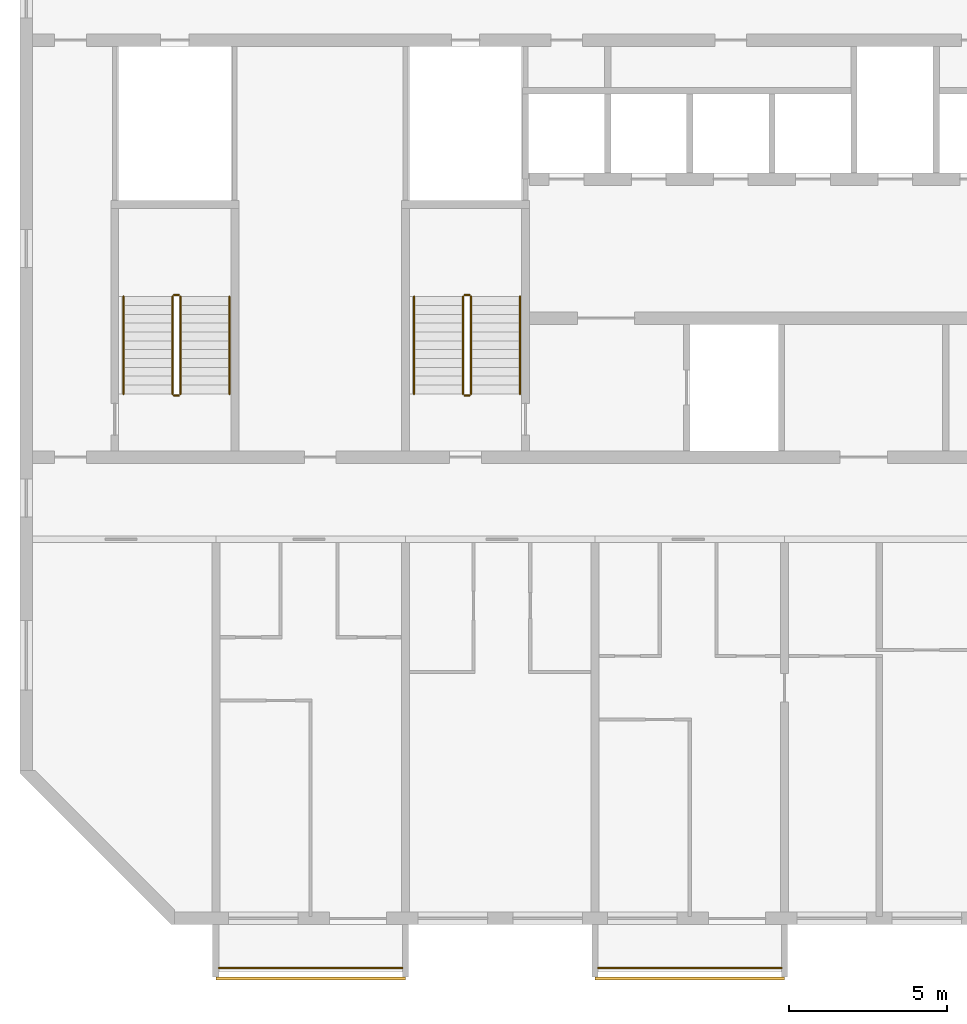
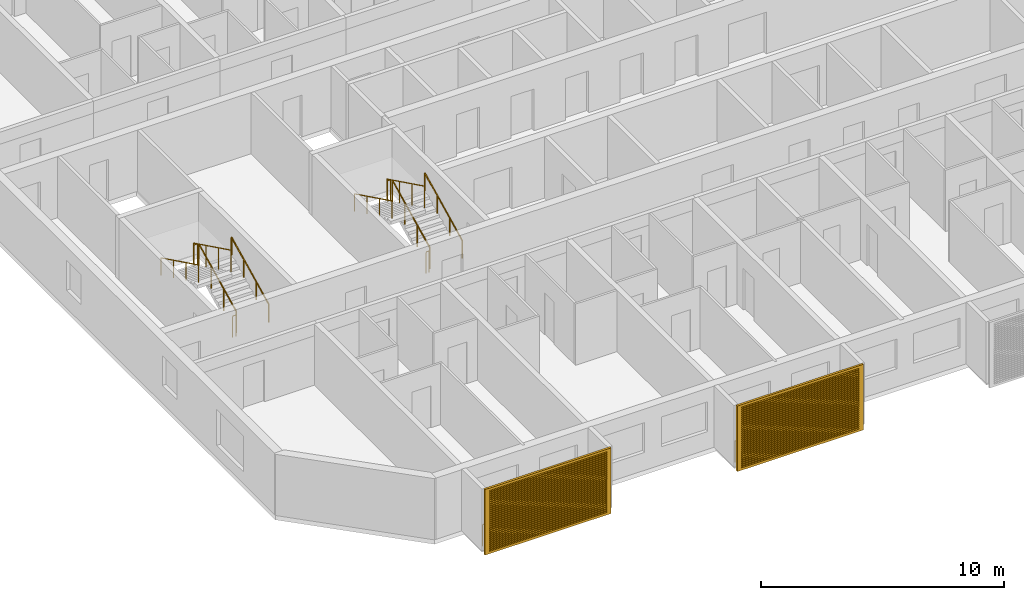
# One storey, part 13 of 27: 14 railings, 2 shading devices.
"""IFC4 building model written with IfcOpenShell, lengths in metres."""

from ifc_helpers import new_model, si_unit, direction, frame, origin, origin_2d, place, context, subcontext, project, spatial, polyline, circle, outline, extrude, source, transform, mapped, material, material_profile, profile_set, type_object, element, save


model = new_model("IFC4")

# Units and contexts
model_context = context("Model", 3, precision=1e-05, world=origin(), true_north=direction((0.0, 1.0)))
body_context = subcontext(model_context, "Body", "Model", "MODEL_VIEW")
ifc_project = project(units=[si_unit("LENGTHUNIT", "METRE"), si_unit("AREAUNIT", "SQUARE_METRE"), si_unit("VOLUMEUNIT", "CUBIC_METRE"), si_unit("PLANEANGLEUNIT", "RADIAN"), si_unit("MASSUNIT", "GRAM", prefix="KILO")], contexts=[model_context])

# Site, building, storey
site_placement = place(None, origin())
site = spatial("IfcSite", under=ifc_project, at=site_placement, CompositionType="ELEMENT")
building_placement = place(site_placement, origin())
building = spatial("IfcBuilding", under=site, at=building_placement, Name="Poui Terraces", CompositionType="ELEMENT")
storey_placement = place(building_placement, frame((0.0, 0.0, 198.300048828125)))
storey = spatial("IfcBuildingStorey", under=building, at=storey_placement, Name="L55", CompositionType="ELEMENT", Elevation=198.300048828125)

# Railings
ifc_material_1 = material(Name="Painted steel fretwork", Category="steel")
railing_type_1 = type_object("IfcRailingType", Name="BALCONY GUARD 1100", PredefinedType="GUARDRAIL", material=ifc_material_1)
for number, where, name in (
    (1, (24.10009765625, -1.570068359375, 0.0), "BALCONY GUARD"),
    (2, (36.10009765625, -1.570068359375, 0.0), "BALCONY GUARD"),
):
    element("IfcRailing", number, at=place(storey_placement, frame(where)), inside=storey, type_object=railing_type_1, Name=name, PredefinedType="GUARDRAIL", context=body_context, shape_type="SweptSolid", body=[
        extrude(circle(Radius=0.02392578125, at=origin_2d()), frame((0.0, 0.0, 1.076171875), z_axis=(1.0, 0.0, 0.0), x_axis=(0.0, 1.0, 0.0)), (0.0, 0.0, 1.0), 5.7998046875),
        extrude(circle(Radius=0.02099609375, at=origin_2d()), origin(), (0.0, 0.0, 1.0), 1.052001953125),
        extrude(circle(Radius=0.02099609375, at=origin_2d()), frame((0.966552734375, 0.0, 0.0)), (0.0, 0.0, 1.0), 1.052001953125),
        extrude(circle(Radius=0.02099609375, at=origin_2d()), frame((1.933349609375, 0.0, 0.0)), (0.0, 0.0, 1.0), 1.052001953125),
        extrude(circle(Radius=0.02099609375, at=origin_2d()), frame((2.89990234375, 0.0, 0.0)), (0.0, 0.0, 1.0), 1.052001953125),
        extrude(circle(Radius=0.02099609375, at=origin_2d()), frame((3.866455078125, 0.0, 0.0)), (0.0, 0.0, 1.0), 1.052001953125),
        extrude(circle(Radius=0.02099609375, at=origin_2d()), frame((4.833251953125, 0.0, 0.0)), (0.0, 0.0, 1.0), 1.052001953125),
        extrude(circle(Radius=0.02099609375, at=origin_2d()), frame((5.7998046875, 0.0, 0.0)), (0.0, 0.0, 1.0), 1.052001953125),
    ])
ifc_material_2 = material(Name="Galvanised steel balustrade", Category="steel")
railing_type_2 = type_object("IfcRailingType", Name="STAIR GUARD 1100", PredefinedType="GUARDRAIL", material=ifc_material_2)
railing_1_placement = place(storey_placement, frame((32.074951171875, 16.60009765625, 0.137451171875)))
element("IfcRailing", 3, at=railing_1_placement, inside=storey, type_object=railing_type_2, Name="L55 ST-CW stair guard 1", PredefinedType="GUARDRAIL", context=body_context, shape_type="SweptSolid", body=[
    extrude(circle(Radius=0.02392578125, at=origin_2d()), frame((0.0, 0.0, 1.076171875), z_axis=(0.0, 0.897606190399, 0.440798283751), x_axis=(-1.0, 0.0, 0.0)), (0.0, 0.0, 1.0), 3.43115234375),
    extrude(circle(Radius=0.02099609375, at=origin_2d()), origin(), (0.0, 0.0, 1.0), 1.052001953125),
    extrude(circle(Radius=0.02099609375, at=origin_2d()), frame((0.0, 1.026611328125, 0.504150390625)), (0.0, 0.0, 1.0), 1.052001953125),
    extrude(circle(Radius=0.02099609375, at=origin_2d()), frame((0.0, 2.05322265625, 1.00830078125)), (0.0, 0.0, 1.0), 1.052001953125),
    extrude(circle(Radius=0.02099609375, at=origin_2d()), frame((0.0, 3.079833984375, 1.512451171875)), (0.0, 0.0, 1.0), 1.052001953125),
])
railing_2_placement = place(storey_placement, frame((32.02490234375, 19.72998046875, 1.64990234375)))
element("IfcRailing", 4, at=railing_2_placement, inside=storey, type_object=railing_type_2, Name="L55 ST-CW stair guard 2", PredefinedType="GUARDRAIL", context=body_context, shape_type="SweptSolid", body=[
    extrude(circle(Radius=0.02392578125, at=origin_2d()), frame((0.0, 0.0, 1.076171875), z_axis=(-1.0, 0.0, 0.0), x_axis=(0.0, -1.0, 0.0)), (0.0, 0.0, 1.0), 0.14990234375),
    extrude(circle(Radius=0.02099609375, at=origin_2d()), origin(), (0.0, 0.0, 1.0), 1.052001953125),
    extrude(circle(Radius=0.02099609375, at=origin_2d()), frame((-0.14990234375, 0.0, 0.0)), (0.0, 0.0, 1.0), 1.052001953125),
])
railing_3_placement = place(storey_placement, frame((31.824951171875, 19.679931640625, 1.787353515625)))
element("IfcRailing", 5, at=railing_3_placement, inside=storey, type_object=railing_type_2, Name="L55 ST-CW stair guard 3", PredefinedType="GUARDRAIL", context=body_context, shape_type="SweptSolid", body=[
    extrude(circle(Radius=0.02392578125, at=origin_2d()), frame((0.0, 0.0, 1.076171875), z_axis=(0.0, -0.897578036475, 0.440855609512), x_axis=(1.0, 0.0, 0.0)), (0.0, 0.0, 1.0), 3.43115234375),
    extrude(circle(Radius=0.02099609375, at=origin_2d()), origin(), (0.0, 0.0, 1.0), 1.052001953125),
    extrude(circle(Radius=0.02099609375, at=origin_2d()), frame((0.0, -1.026611328125, 0.504150390625)), (0.0, 0.0, 1.0), 1.052001953125),
    extrude(circle(Radius=0.02099609375, at=origin_2d()), frame((0.0, -2.05322265625, 1.008544921875)), (0.0, 0.0, 1.0), 1.052001953125),
    extrude(circle(Radius=0.02099609375, at=origin_2d()), frame((0.0, -3.079833984375, 1.5126953125)), (0.0, 0.0, 1.0), 1.052001953125),
])
railing_4_placement = place(storey_placement, frame((32.02490234375, 16.550048828125, 0.0)))
element("IfcRailing", 6, at=railing_4_placement, inside=storey, type_object=railing_type_2, Name="L55 ST-CW stair guard 4", PredefinedType="GUARDRAIL", context=body_context, shape_type="SweptSolid", body=[
    extrude(circle(Radius=0.02392578125, at=origin_2d()), frame((0.0, 0.0, 1.076171875), z_axis=(-1.0, 0.0, 0.0), x_axis=(0.0, -1.0, 0.0)), (0.0, 0.0, 1.0), 0.14990234375),
    extrude(circle(Radius=0.02099609375, at=origin_2d()), origin(), (0.0, 0.0, 1.0), 1.052001953125),
    extrude(circle(Radius=0.02099609375, at=origin_2d()), frame((-0.14990234375, 0.0, 0.0)), (0.0, 0.0, 1.0), 1.052001953125),
])
railing_5_placement = place(storey_placement, frame((22.875, 16.60009765625, 0.137451171875)))
element("IfcRailing", 7, at=railing_5_placement, inside=storey, type_object=railing_type_2, Name="L55 ST-W stair guard 1", PredefinedType="GUARDRAIL", context=body_context, shape_type="SweptSolid", body=[
    extrude(circle(Radius=0.02392578125, at=origin_2d()), frame((0.0, 0.0, 1.076171875), z_axis=(0.0, 0.897606190399, 0.440798283751), x_axis=(-1.0, 0.0, 0.0)), (0.0, 0.0, 1.0), 3.43115234375),
    extrude(circle(Radius=0.02099609375, at=origin_2d()), origin(), (0.0, 0.0, 1.0), 1.052001953125),
    extrude(circle(Radius=0.02099609375, at=origin_2d()), frame((0.0, 1.026611328125, 0.504150390625)), (0.0, 0.0, 1.0), 1.052001953125),
    extrude(circle(Radius=0.02099609375, at=origin_2d()), frame((0.0, 2.05322265625, 1.00830078125)), (0.0, 0.0, 1.0), 1.052001953125),
    extrude(circle(Radius=0.02099609375, at=origin_2d()), frame((0.0, 3.079833984375, 1.512451171875)), (0.0, 0.0, 1.0), 1.052001953125),
])
railing_6_placement = place(storey_placement, frame((22.824951171875, 19.72998046875, 1.64990234375)))
element("IfcRailing", 8, at=railing_6_placement, inside=storey, type_object=railing_type_2, Name="L55 ST-W stair guard 2", PredefinedType="GUARDRAIL", context=body_context, shape_type="SweptSolid", body=[
    extrude(circle(Radius=0.02392578125, at=origin_2d()), frame((0.0, 0.0, 1.076171875), z_axis=(-1.0, 0.0, 0.0), x_axis=(0.0, -1.0, 0.0)), (0.0, 0.0, 1.0), 0.14990234375),
    extrude(circle(Radius=0.02099609375, at=origin_2d()), origin(), (0.0, 0.0, 1.0), 1.052001953125),
    extrude(circle(Radius=0.02099609375, at=origin_2d()), frame((-0.14990234375, 0.0, 0.0)), (0.0, 0.0, 1.0), 1.052001953125),
])
railing_7_placement = place(storey_placement, frame((22.625, 19.679931640625, 1.787353515625)))
element("IfcRailing", 9, at=railing_7_placement, inside=storey, type_object=railing_type_2, Name="L55 ST-W stair guard 3", PredefinedType="GUARDRAIL", context=body_context, shape_type="SweptSolid", body=[
    extrude(circle(Radius=0.02392578125, at=origin_2d()), frame((0.0, 0.0, 1.076171875), z_axis=(0.0, -0.897578036475, 0.440855609512), x_axis=(1.0, 0.0, 0.0)), (0.0, 0.0, 1.0), 3.43115234375),
    extrude(circle(Radius=0.02099609375, at=origin_2d()), origin(), (0.0, 0.0, 1.0), 1.052001953125),
    extrude(circle(Radius=0.02099609375, at=origin_2d()), frame((0.0, -1.026611328125, 0.504150390625)), (0.0, 0.0, 1.0), 1.052001953125),
    extrude(circle(Radius=0.02099609375, at=origin_2d()), frame((0.0, -2.05322265625, 1.008544921875)), (0.0, 0.0, 1.0), 1.052001953125),
    extrude(circle(Radius=0.02099609375, at=origin_2d()), frame((0.0, -3.079833984375, 1.5126953125)), (0.0, 0.0, 1.0), 1.052001953125),
])
railing_8_placement = place(storey_placement, frame((22.824951171875, 16.550048828125, 0.0)))
element("IfcRailing", 10, at=railing_8_placement, inside=storey, type_object=railing_type_2, Name="L55 ST-W stair guard 4", PredefinedType="GUARDRAIL", context=body_context, shape_type="SweptSolid", body=[
    extrude(circle(Radius=0.02392578125, at=origin_2d()), frame((0.0, 0.0, 1.076171875), z_axis=(-1.0, 0.0, 0.0), x_axis=(0.0, -1.0, 0.0)), (0.0, 0.0, 1.0), 0.14990234375),
    extrude(circle(Radius=0.02099609375, at=origin_2d()), origin(), (0.0, 0.0, 1.0), 1.052001953125),
    extrude(circle(Radius=0.02099609375, at=origin_2d()), frame((-0.14990234375, 0.0, 0.0)), (0.0, 0.0, 1.0), 1.052001953125),
])
ifc_material_3 = material(Name="Stainless steel handrail", Category="steel")
railing_type_3 = type_object("IfcRailingType", Name="STAIR HANDRAIL 900", PredefinedType="HANDRAIL", material=ifc_material_3)
railing_9_placement = place(storey_placement, frame((33.625, 16.60009765625, 0.137451171875)))
element("IfcRailing", 11, at=railing_9_placement, inside=storey, type_object=railing_type_3, Name="L55 ST-CW stair handrail 1", PredefinedType="HANDRAIL", context=body_context, shape_type="SweptSolid", body=[
    extrude(circle(Radius=0.02392578125, at=origin_2d()), frame((0.0, 0.0, 0.8759765625), z_axis=(0.0, 0.897606190399, 0.440798283751), x_axis=(-1.0, 0.0, 0.0)), (0.0, 0.0, 1.0), 3.43115234375),
    extrude(circle(Radius=0.02099609375, at=origin_2d()), origin(), (0.0, 0.0, 1.0), 0.851806640625),
    extrude(circle(Radius=0.02099609375, at=origin_2d()), frame((0.0, 1.026611328125, 0.504150390625)), (0.0, 0.0, 1.0), 0.851806640625),
    extrude(circle(Radius=0.02099609375, at=origin_2d()), frame((0.0, 2.05322265625, 1.00830078125)), (0.0, 0.0, 1.0), 0.851806640625),
    extrude(circle(Radius=0.02099609375, at=origin_2d()), frame((0.0, 3.079833984375, 1.512451171875)), (0.0, 0.0, 1.0), 0.851806640625),
])
railing_10_placement = place(storey_placement, frame((30.27490234375, 19.679931640625, 1.787353515625)))
element("IfcRailing", 12, at=railing_10_placement, inside=storey, type_object=railing_type_3, Name="L55 ST-CW stair handrail 2", PredefinedType="HANDRAIL", context=body_context, shape_type="SweptSolid", body=[
    extrude(circle(Radius=0.02392578125, at=origin_2d()), frame((0.0, 0.0, 0.8759765625), z_axis=(0.0, -0.897578036475, 0.440855609512), x_axis=(1.0, 0.0, 0.0)), (0.0, 0.0, 1.0), 3.43115234375),
    extrude(circle(Radius=0.02099609375, at=origin_2d()), origin(), (0.0, 0.0, 1.0), 0.851806640625),
    extrude(circle(Radius=0.02099609375, at=origin_2d()), frame((0.0, -1.026611328125, 0.504150390625)), (0.0, 0.0, 1.0), 0.851806640625),
    extrude(circle(Radius=0.02099609375, at=origin_2d()), frame((0.0, -2.05322265625, 1.008544921875)), (0.0, 0.0, 1.0), 0.851806640625),
    extrude(circle(Radius=0.02099609375, at=origin_2d()), frame((0.0, -3.079833984375, 1.5126953125)), (0.0, 0.0, 1.0), 0.851806640625),
])
railing_11_placement = place(storey_placement, frame((24.425048828125, 16.60009765625, 0.137451171875)))
element("IfcRailing", 13, at=railing_11_placement, inside=storey, type_object=railing_type_3, Name="L55 ST-W stair handrail 1", PredefinedType="HANDRAIL", context=body_context, shape_type="SweptSolid", body=[
    extrude(circle(Radius=0.02392578125, at=origin_2d()), frame((0.0, 0.0, 0.8759765625), z_axis=(0.0, 0.897606190399, 0.440798283751), x_axis=(-1.0, 0.0, 0.0)), (0.0, 0.0, 1.0), 3.43115234375),
    extrude(circle(Radius=0.02099609375, at=origin_2d()), origin(), (0.0, 0.0, 1.0), 0.851806640625),
    extrude(circle(Radius=0.02099609375, at=origin_2d()), frame((0.0, 1.026611328125, 0.504150390625)), (0.0, 0.0, 1.0), 0.851806640625),
    extrude(circle(Radius=0.02099609375, at=origin_2d()), frame((0.0, 2.05322265625, 1.00830078125)), (0.0, 0.0, 1.0), 0.851806640625),
    extrude(circle(Radius=0.02099609375, at=origin_2d()), frame((0.0, 3.079833984375, 1.512451171875)), (0.0, 0.0, 1.0), 0.851806640625),
])
railing_12_placement = place(storey_placement, frame((21.074951171875, 19.679931640625, 1.787353515625)))
element("IfcRailing", 14, at=railing_12_placement, inside=storey, type_object=railing_type_3, Name="L55 ST-W stair handrail 2", PredefinedType="HANDRAIL", context=body_context, shape_type="SweptSolid", body=[
    extrude(circle(Radius=0.02392578125, at=origin_2d()), frame((0.0, 0.0, 0.8759765625), z_axis=(0.0, -0.897578036475, 0.440855609512), x_axis=(1.0, 0.0, 0.0)), (0.0, 0.0, 1.0), 3.43115234375),
    extrude(circle(Radius=0.02099609375, at=origin_2d()), origin(), (0.0, 0.0, 1.0), 0.851806640625),
    extrude(circle(Radius=0.02099609375, at=origin_2d()), frame((0.0, -1.026611328125, 0.504150390625)), (0.0, 0.0, 1.0), 0.851806640625),
    extrude(circle(Radius=0.02099609375, at=origin_2d()), frame((0.0, -2.05322265625, 1.008544921875)), (0.0, 0.0, 1.0), 0.851806640625),
    extrude(circle(Radius=0.02099609375, at=origin_2d()), frame((0.0, -3.079833984375, 1.5126953125)), (0.0, 0.0, 1.0), 0.851806640625),
])

# Shading devices
ifc_material_4 = material(Name="Aluminium louvre", Category="aluminium")
ifc_material_profile = material_profile(ifc_material_4, outline(polyline([(-3.0, -1.64990234375), (3.0, -1.64990234375), (3.0, 1.64990234375), (-3.0, 1.64990234375), (-3.0, -1.64990234375)]), holes=[polyline([(-2.800048828125, -1.530029296875), (2.800048828125, -1.530029296875), (2.800048828125, -1.469970703125), (-2.800048828125, -1.469970703125), (-2.800048828125, -1.530029296875)]), polyline([(-2.800048828125, -1.429931640625), (2.800048828125, -1.429931640625), (2.800048828125, -1.3701171875), (-2.800048828125, -1.3701171875), (-2.800048828125, -1.429931640625)]), polyline([(-2.800048828125, -1.330078125), (2.800048828125, -1.330078125), (2.800048828125, -1.27001953125), (-2.800048828125, -1.27001953125), (-2.800048828125, -1.330078125)]), polyline([(-2.800048828125, -1.22998046875), (2.800048828125, -1.22998046875), (2.800048828125, -1.169921875), (-2.800048828125, -1.169921875), (-2.800048828125, -1.22998046875)]), polyline([(-2.800048828125, -1.1298828125), (2.800048828125, -1.1298828125), (2.800048828125, -1.070068359375), (-2.800048828125, -1.070068359375), (-2.800048828125, -1.1298828125)]), polyline([(-2.800048828125, -1.030029296875), (2.800048828125, -1.030029296875), (2.800048828125, -0.969970703125), (-2.800048828125, -0.969970703125), (-2.800048828125, -1.030029296875)]), polyline([(-2.800048828125, -0.929931640625), (2.800048828125, -0.929931640625), (2.800048828125, -0.8701171875), (-2.800048828125, -0.8701171875), (-2.800048828125, -0.929931640625)]), polyline([(-2.800048828125, -0.830078125), (2.800048828125, -0.830078125), (2.800048828125, -0.77001953125), (-2.800048828125, -0.77001953125), (-2.800048828125, -0.830078125)]), polyline([(-2.800048828125, -0.72998046875), (2.800048828125, -0.72998046875), (2.800048828125, -0.669921875), (-2.800048828125, -0.669921875), (-2.800048828125, -0.72998046875)]), polyline([(-2.800048828125, -0.6298828125), (2.800048828125, -0.6298828125), (2.800048828125, -0.570068359375), (-2.800048828125, -0.570068359375), (-2.800048828125, -0.6298828125)]), polyline([(-2.800048828125, -0.530029296875), (2.800048828125, -0.530029296875), (2.800048828125, -0.469970703125), (-2.800048828125, -0.469970703125), (-2.800048828125, -0.530029296875)]), polyline([(-2.800048828125, -0.429931640625), (2.800048828125, -0.429931640625), (2.800048828125, -0.3701171875), (-2.800048828125, -0.3701171875), (-2.800048828125, -0.429931640625)]), polyline([(-2.800048828125, -0.330078125), (2.800048828125, -0.330078125), (2.800048828125, -0.27001953125), (-2.800048828125, -0.27001953125), (-2.800048828125, -0.330078125)]), polyline([(-2.800048828125, -0.22998046875), (2.800048828125, -0.22998046875), (2.800048828125, -0.169921875), (-2.800048828125, -0.169921875), (-2.800048828125, -0.22998046875)]), polyline([(-2.800048828125, -0.1298828125), (2.800048828125, -0.1298828125), (2.800048828125, -0.070068359375), (-2.800048828125, -0.070068359375), (-2.800048828125, -0.1298828125)]), polyline([(-2.800048828125, -0.030029296875), (2.800048828125, -0.030029296875), (2.800048828125, 0.030029296875), (-2.800048828125, 0.030029296875), (-2.800048828125, -0.030029296875)]), polyline([(-2.800048828125, 0.070068359375), (2.800048828125, 0.070068359375), (2.800048828125, 0.1298828125), (-2.800048828125, 0.1298828125), (-2.800048828125, 0.070068359375)]), polyline([(-2.800048828125, 0.169921875), (2.800048828125, 0.169921875), (2.800048828125, 0.22998046875), (-2.800048828125, 0.22998046875), (-2.800048828125, 0.169921875)]), polyline([(-2.800048828125, 0.27001953125), (2.800048828125, 0.27001953125), (2.800048828125, 0.330078125), (-2.800048828125, 0.330078125), (-2.800048828125, 0.27001953125)]), polyline([(-2.800048828125, 0.3701171875), (2.800048828125, 0.3701171875), (2.800048828125, 0.429931640625), (-2.800048828125, 0.429931640625), (-2.800048828125, 0.3701171875)]), polyline([(-2.800048828125, 0.469970703125), (2.800048828125, 0.469970703125), (2.800048828125, 0.530029296875), (-2.800048828125, 0.530029296875), (-2.800048828125, 0.469970703125)]), polyline([(-2.800048828125, 0.570068359375), (2.800048828125, 0.570068359375), (2.800048828125, 0.6298828125), (-2.800048828125, 0.6298828125), (-2.800048828125, 0.570068359375)]), polyline([(-2.800048828125, 0.669921875), (2.800048828125, 0.669921875), (2.800048828125, 0.72998046875), (-2.800048828125, 0.72998046875), (-2.800048828125, 0.669921875)]), polyline([(-2.800048828125, 0.77001953125), (2.800048828125, 0.77001953125), (2.800048828125, 0.830078125), (-2.800048828125, 0.830078125), (-2.800048828125, 0.77001953125)]), polyline([(-2.800048828125, 0.8701171875), (2.800048828125, 0.8701171875), (2.800048828125, 0.929931640625), (-2.800048828125, 0.929931640625), (-2.800048828125, 0.8701171875)]), polyline([(-2.800048828125, 0.969970703125), (2.800048828125, 0.969970703125), (2.800048828125, 1.030029296875), (-2.800048828125, 1.030029296875), (-2.800048828125, 0.969970703125)]), polyline([(-2.800048828125, 1.070068359375), (2.800048828125, 1.070068359375), (2.800048828125, 1.1298828125), (-2.800048828125, 1.1298828125), (-2.800048828125, 1.070068359375)]), polyline([(-2.800048828125, 1.169921875), (2.800048828125, 1.169921875), (2.800048828125, 1.22998046875), (-2.800048828125, 1.22998046875), (-2.800048828125, 1.169921875)]), polyline([(-2.800048828125, 1.27001953125), (2.800048828125, 1.27001953125), (2.800048828125, 1.330078125), (-2.800048828125, 1.330078125), (-2.800048828125, 1.27001953125)]), polyline([(-2.800048828125, 1.3701171875), (2.800048828125, 1.3701171875), (2.800048828125, 1.429931640625), (-2.800048828125, 1.429931640625), (-2.800048828125, 1.3701171875)]), polyline([(-2.800048828125, 1.469970703125), (2.800048828125, 1.469970703125), (2.800048828125, 1.530029296875), (-2.800048828125, 1.530029296875), (-2.800048828125, 1.469970703125)])]), Name="JALOUSIE LOUVRE SHUTTER 6000X3300")
ifc_profile_set = profile_set([ifc_material_profile], Name="Aluminium louvre")
shading_device_type = type_object("IfcShadingDeviceType", Name="JALOUSIE LOUVRE SHUTTER 6000X3300", PredefinedType="JALOUSIE", material=ifc_profile_set)
shared_shape = source(origin(), body_context, "Body", "SweptSolid", [
    extrude(outline(polyline([(-3.0, -1.64990234375), (3.0, -1.64990234375), (3.0, 1.64990234375), (-3.0, 1.64990234375), (-3.0, -1.64990234375)]), holes=[polyline([(-2.800048828125, -1.530029296875), (2.800048828125, -1.530029296875), (2.800048828125, -1.469970703125), (-2.800048828125, -1.469970703125), (-2.800048828125, -1.530029296875)]), polyline([(-2.800048828125, -1.429931640625), (2.800048828125, -1.429931640625), (2.800048828125, -1.3701171875), (-2.800048828125, -1.3701171875), (-2.800048828125, -1.429931640625)]), polyline([(-2.800048828125, -1.330078125), (2.800048828125, -1.330078125), (2.800048828125, -1.27001953125), (-2.800048828125, -1.27001953125), (-2.800048828125, -1.330078125)]), polyline([(-2.800048828125, -1.22998046875), (2.800048828125, -1.22998046875), (2.800048828125, -1.169921875), (-2.800048828125, -1.169921875), (-2.800048828125, -1.22998046875)]), polyline([(-2.800048828125, -1.1298828125), (2.800048828125, -1.1298828125), (2.800048828125, -1.070068359375), (-2.800048828125, -1.070068359375), (-2.800048828125, -1.1298828125)]), polyline([(-2.800048828125, -1.030029296875), (2.800048828125, -1.030029296875), (2.800048828125, -0.969970703125), (-2.800048828125, -0.969970703125), (-2.800048828125, -1.030029296875)]), polyline([(-2.800048828125, -0.929931640625), (2.800048828125, -0.929931640625), (2.800048828125, -0.8701171875), (-2.800048828125, -0.8701171875), (-2.800048828125, -0.929931640625)]), polyline([(-2.800048828125, -0.830078125), (2.800048828125, -0.830078125), (2.800048828125, -0.77001953125), (-2.800048828125, -0.77001953125), (-2.800048828125, -0.830078125)]), polyline([(-2.800048828125, -0.72998046875), (2.800048828125, -0.72998046875), (2.800048828125, -0.669921875), (-2.800048828125, -0.669921875), (-2.800048828125, -0.72998046875)]), polyline([(-2.800048828125, -0.6298828125), (2.800048828125, -0.6298828125), (2.800048828125, -0.570068359375), (-2.800048828125, -0.570068359375), (-2.800048828125, -0.6298828125)]), polyline([(-2.800048828125, -0.530029296875), (2.800048828125, -0.530029296875), (2.800048828125, -0.469970703125), (-2.800048828125, -0.469970703125), (-2.800048828125, -0.530029296875)]), polyline([(-2.800048828125, -0.429931640625), (2.800048828125, -0.429931640625), (2.800048828125, -0.3701171875), (-2.800048828125, -0.3701171875), (-2.800048828125, -0.429931640625)]), polyline([(-2.800048828125, -0.330078125), (2.800048828125, -0.330078125), (2.800048828125, -0.27001953125), (-2.800048828125, -0.27001953125), (-2.800048828125, -0.330078125)]), polyline([(-2.800048828125, -0.22998046875), (2.800048828125, -0.22998046875), (2.800048828125, -0.169921875), (-2.800048828125, -0.169921875), (-2.800048828125, -0.22998046875)]), polyline([(-2.800048828125, -0.1298828125), (2.800048828125, -0.1298828125), (2.800048828125, -0.070068359375), (-2.800048828125, -0.070068359375), (-2.800048828125, -0.1298828125)]), polyline([(-2.800048828125, -0.030029296875), (2.800048828125, -0.030029296875), (2.800048828125, 0.030029296875), (-2.800048828125, 0.030029296875), (-2.800048828125, -0.030029296875)]), polyline([(-2.800048828125, 0.070068359375), (2.800048828125, 0.070068359375), (2.800048828125, 0.1298828125), (-2.800048828125, 0.1298828125), (-2.800048828125, 0.070068359375)]), polyline([(-2.800048828125, 0.169921875), (2.800048828125, 0.169921875), (2.800048828125, 0.22998046875), (-2.800048828125, 0.22998046875), (-2.800048828125, 0.169921875)]), polyline([(-2.800048828125, 0.27001953125), (2.800048828125, 0.27001953125), (2.800048828125, 0.330078125), (-2.800048828125, 0.330078125), (-2.800048828125, 0.27001953125)]), polyline([(-2.800048828125, 0.3701171875), (2.800048828125, 0.3701171875), (2.800048828125, 0.429931640625), (-2.800048828125, 0.429931640625), (-2.800048828125, 0.3701171875)]), polyline([(-2.800048828125, 0.469970703125), (2.800048828125, 0.469970703125), (2.800048828125, 0.530029296875), (-2.800048828125, 0.530029296875), (-2.800048828125, 0.469970703125)]), polyline([(-2.800048828125, 0.570068359375), (2.800048828125, 0.570068359375), (2.800048828125, 0.6298828125), (-2.800048828125, 0.6298828125), (-2.800048828125, 0.570068359375)]), polyline([(-2.800048828125, 0.669921875), (2.800048828125, 0.669921875), (2.800048828125, 0.72998046875), (-2.800048828125, 0.72998046875), (-2.800048828125, 0.669921875)]), polyline([(-2.800048828125, 0.77001953125), (2.800048828125, 0.77001953125), (2.800048828125, 0.830078125), (-2.800048828125, 0.830078125), (-2.800048828125, 0.77001953125)]), polyline([(-2.800048828125, 0.8701171875), (2.800048828125, 0.8701171875), (2.800048828125, 0.929931640625), (-2.800048828125, 0.929931640625), (-2.800048828125, 0.8701171875)]), polyline([(-2.800048828125, 0.969970703125), (2.800048828125, 0.969970703125), (2.800048828125, 1.030029296875), (-2.800048828125, 1.030029296875), (-2.800048828125, 0.969970703125)]), polyline([(-2.800048828125, 1.070068359375), (2.800048828125, 1.070068359375), (2.800048828125, 1.1298828125), (-2.800048828125, 1.1298828125), (-2.800048828125, 1.070068359375)]), polyline([(-2.800048828125, 1.169921875), (2.800048828125, 1.169921875), (2.800048828125, 1.22998046875), (-2.800048828125, 1.22998046875), (-2.800048828125, 1.169921875)]), polyline([(-2.800048828125, 1.27001953125), (2.800048828125, 1.27001953125), (2.800048828125, 1.330078125), (-2.800048828125, 1.330078125), (-2.800048828125, 1.27001953125)]), polyline([(-2.800048828125, 1.3701171875), (2.800048828125, 1.3701171875), (2.800048828125, 1.429931640625), (-2.800048828125, 1.429931640625), (-2.800048828125, 1.3701171875)]), polyline([(-2.800048828125, 1.469970703125), (2.800048828125, 1.469970703125), (2.800048828125, 1.530029296875), (-2.800048828125, 1.530029296875), (-2.800048828125, 1.469970703125)])]), origin(), (0.0, 0.0, 1.0), 0.099853515625),
])
for number, where, z_axis, x_axis, name in (
    (15, (27.0, -1.85009765625, 1.449951171875), (0.0, -1.0, 0.0), (1.0, 0.0, 0.0), "JALOUSIE LOUVRE SHUTTER"),
    (16, (39.0, -1.85009765625, 1.449951171875), (0.0, -1.0, 0.0), (1.0, 0.0, 0.0), "JALOUSIE LOUVRE SHUTTER"),
):
    element("IfcShadingDevice", number, at=place(storey_placement, frame(where, z_axis=z_axis, x_axis=x_axis)), inside=storey, type_object=shading_device_type, Name=name, PredefinedType="JALOUSIE", context=body_context, shape_type="MappedRepresentation", body=[
        mapped(shared_shape, transform((0.0, 0.0, 0.0))),
    ])

save(model, "model.ifc")
